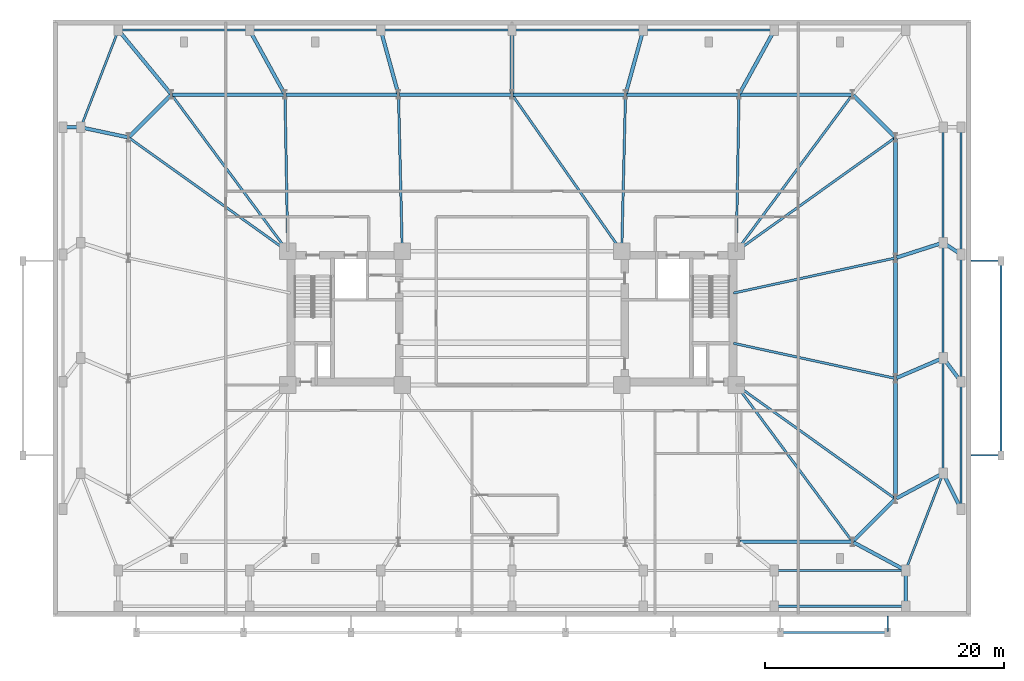
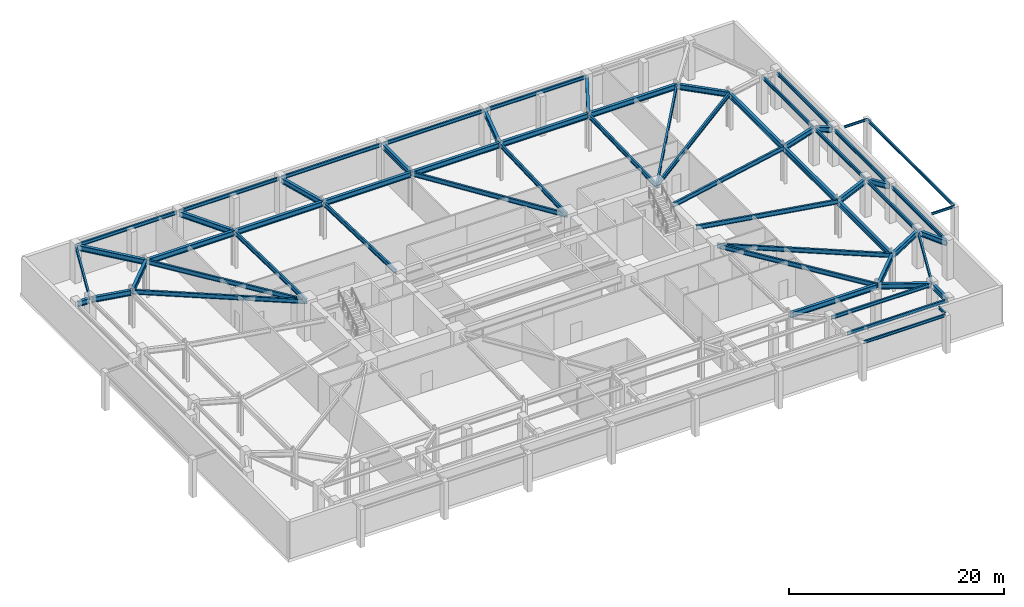
# One storey, part 6 of 14: 62 beams.
"""IFC4 building model written with IfcOpenShell, lengths in metres."""

from ifc_helpers import new_model, si_unit, direction, frame, origin, origin_2d, place, context, subcontext, project, spatial, i_section, extrude, material, material_profile, profile_set, type_object, element, save


model = new_model("IFC4")

# Units and contexts
model_context = context("Model", 3, precision=1e-05, world=origin(), true_north=direction((0.0, 1.0)))
body_context = subcontext(model_context, "Body", "Model", "MODEL_VIEW")
ifc_project = project(units=[si_unit("LENGTHUNIT", "METRE"), si_unit("AREAUNIT", "SQUARE_METRE"), si_unit("VOLUMEUNIT", "CUBIC_METRE"), si_unit("PLANEANGLEUNIT", "RADIAN"), si_unit("MASSUNIT", "GRAM", prefix="KILO")], contexts=[model_context])

# Site, building, storey
site_placement = place(None, origin())
site = spatial("IfcSite", under=ifc_project, at=site_placement, CompositionType="ELEMENT")
building_placement = place(site_placement, origin())
building = spatial("IfcBuilding", under=site, at=building_placement, Name="Qobustan Lattice House", CompositionType="ELEMENT")
storey_placement = place(building_placement, frame((0.0, 0.0, -4.5)))
storey = spatial("IfcBuildingStorey", under=building, at=storey_placement, Name="B01", CompositionType="ELEMENT", Elevation=-4.5)

# Beams
ifc_material_1 = material(Name="Steel S355", Category="steel")
ifc_material_profile_1 = material_profile(ifc_material_1, i_section(OverallWidth=0.199951171875, OverallDepth=0.5, WebThickness=0.01025390625, FlangeThickness=0.01611328125, FilletRadius=0.02099609375, at=origin_2d()), Name="IPE500")
ifc_profile_set_1 = profile_set([ifc_material_profile_1], Name="Steel S355")
beam_type_1 = type_object("IfcBeamType", Name="BM-FLG-IPE500", PredefinedType="USERDEFINED", material=ifc_profile_set_1)
for number, where, z_axis, x_axis, name in (
    (1, (28.53515625, -18.72998046875, 3.909912109375), (-0.5955916815, 0.803287338956, 0.0), (-0.803287338956, -0.5955916815, 0.0), "B01 primary floor girder RAD-S7E"),
    (2, (-28.53515625, 18.72998046875, 3.909912109375), (0.5955916815, -0.803287338956, 0.0), (0.803287338956, 0.5955916815, 0.0), "B01 primary floor girder RAD-N7W"),
):
    element("IfcBeam", number, at=place(storey_placement, frame(where, z_axis=z_axis, x_axis=x_axis)), inside=storey, type_object=beam_type_1, Name=name, ObjectType="GIRDER", PredefinedType="USERDEFINED", context=body_context, shape_type="SweptSolid", body=[
        extrude(i_section(OverallWidth=0.199951171875, OverallDepth=0.5, WebThickness=0.01025390625, FlangeThickness=0.01611328125, FilletRadius=0.02099609375, at=origin_2d()), origin(), (0.0, 0.0, 1.0), 16.3203125),
    ])
beam_1_placement = place(storey_placement, frame((-19.032958984375, 18.72509765625, 3.909912109375), z_axis=(0.017757831607, -0.999842317276, 0.0), x_axis=(0.999842317276, 0.017757831607, 0.0)))
element("IfcBeam", 3, at=beam_1_placement, inside=storey, type_object=beam_type_1, Name="B01 primary floor girder RAD-N6", ObjectType="GIRDER", PredefinedType="USERDEFINED", context=body_context, shape_type="SweptSolid", body=[
    extrude(i_section(OverallWidth=0.199951171875, OverallDepth=0.5, WebThickness=0.01025390625, FlangeThickness=0.01611328125, FilletRadius=0.02099609375, at=origin_2d()), origin(), (0.0, 0.0, 1.0), 13.10205078125),
])
beam_2_placement = place(storey_placement, frame((-9.51611328125, 18.72509765625, 3.909912109375), z_axis=(0.024071445657, -0.999710240772, 0.0), x_axis=(0.999710240772, 0.024071445657, 0.0)))
element("IfcBeam", 4, at=beam_2_placement, inside=storey, type_object=beam_type_1, Name="B01 primary floor girder RAD-N5", ObjectType="GIRDER", PredefinedType="USERDEFINED", context=body_context, shape_type="SweptSolid", body=[
    extrude(i_section(OverallWidth=0.199951171875, OverallDepth=0.5, WebThickness=0.01025390625, FlangeThickness=0.01611328125, FilletRadius=0.02099609375, at=origin_2d()), origin(), (0.0, 0.0, 1.0), 13.10400390625),
])
beam_3_placement = place(storey_placement, frame((0.014404296875, 18.7294921875, 3.909912109375), z_axis=(0.57325954206, -0.819373844736, 0.0), x_axis=(0.819373844736, 0.57325954206, 0.0)))
element("IfcBeam", 5, at=beam_3_placement, inside=storey, type_object=beam_type_1, Name="B01 primary floor girder RAD-N4", ObjectType="GIRDER", PredefinedType="USERDEFINED", context=body_context, shape_type="SweptSolid", body=[
    extrude(i_section(OverallWidth=0.199951171875, OverallDepth=0.5, WebThickness=0.01025390625, FlangeThickness=0.01611328125, FilletRadius=0.02099609375, at=origin_2d()), origin(), (0.0, 0.0, 1.0), 15.998779296875),
])
beam_4_placement = place(storey_placement, frame((9.51611328125, 18.72509765625, 3.909912109375), z_axis=(-0.024071445657, -0.999710240772, 0.0), x_axis=(0.999710240772, -0.024071445657, 0.0)))
element("IfcBeam", 6, at=beam_4_placement, inside=storey, type_object=beam_type_1, Name="B01 primary floor girder RAD-N3", ObjectType="GIRDER", PredefinedType="USERDEFINED", context=body_context, shape_type="SweptSolid", body=[
    extrude(i_section(OverallWidth=0.199951171875, OverallDepth=0.5, WebThickness=0.01025390625, FlangeThickness=0.01611328125, FilletRadius=0.02099609375, at=origin_2d()), origin(), (0.0, 0.0, 1.0), 13.10400390625),
])
beam_5_placement = place(storey_placement, frame((19.032958984375, 18.72509765625, 3.909912109375), z_axis=(-0.017757831607, -0.999842317276, 0.0), x_axis=(0.999842317276, -0.017757831607, 0.0)))
element("IfcBeam", 7, at=beam_5_placement, inside=storey, type_object=beam_type_1, Name="B01 primary floor girder RAD-N2", ObjectType="GIRDER", PredefinedType="USERDEFINED", context=body_context, shape_type="SweptSolid", body=[
    extrude(i_section(OverallWidth=0.199951171875, OverallDepth=0.5, WebThickness=0.01025390625, FlangeThickness=0.01611328125, FilletRadius=0.02099609375, at=origin_2d()), origin(), (0.0, 0.0, 1.0), 13.10205078125),
])
beam_6_placement = place(storey_placement, frame((28.53515625, 18.72998046875, 3.909912109375), z_axis=(-0.5955916815, -0.803287338956, 0.0), x_axis=(0.803287338956, -0.5955916815, 0.0)))
element("IfcBeam", 8, at=beam_6_placement, inside=storey, type_object=beam_type_1, Name="B01 primary floor girder RAD-N1E", ObjectType="GIRDER", PredefinedType="USERDEFINED", context=body_context, shape_type="SweptSolid", body=[
    extrude(i_section(OverallWidth=0.199951171875, OverallDepth=0.5, WebThickness=0.01025390625, FlangeThickness=0.01611328125, FilletRadius=0.02099609375, at=origin_2d()), origin(), (0.0, 0.0, 1.0), 16.3203125),
])
for number, where, z_axis, x_axis, name in (
    (9, (-32.129638671875, 15.135498046875, 3.909912109375), (0.813318954893, -0.581818079481, 0.0), (0.581818079481, 0.813318954893, 0.0), "B01 primary floor girder RAD-W1"),
    (10, (32.129638671875, 15.135498046875, 3.909912109375), (-0.813318954893, -0.581818079481, 0.0), (0.581818079481, -0.813318954893, 0.0), "B01 primary floor girder RAD-E4"),
):
    element("IfcBeam", number, at=place(storey_placement, frame(where, z_axis=z_axis, x_axis=x_axis)), inside=storey, type_object=beam_type_1, Name=name, ObjectType="GIRDER", PredefinedType="USERDEFINED", context=body_context, shape_type="SweptSolid", body=[
        extrude(i_section(OverallWidth=0.199951171875, OverallDepth=0.5, WebThickness=0.01025390625, FlangeThickness=0.01611328125, FilletRadius=0.02099609375, at=origin_2d()), origin(), (0.0, 0.0, 1.0), 16.3642578125),
    ])
for number, where, z_axis, x_axis, name in (
    (11, (32.12548828125, 5.044677734375, 3.909912109375), (-0.97727240275, -0.211987383643, 0.0), (0.211987383643, -0.97727240275, 0.0), "B01 primary floor girder RAD-E3"),
    (12, (32.12548828125, -5.044677734375, 3.909912109375), (-0.97727240275, 0.211987383643, 0.0), (-0.211987383643, -0.97727240275, 0.0), "B01 primary floor girder RAD-E2"),
):
    element("IfcBeam", number, at=place(storey_placement, frame(where, z_axis=z_axis, x_axis=x_axis)), inside=storey, type_object=beam_type_1, Name=name, ObjectType="GIRDER", PredefinedType="USERDEFINED", context=body_context, shape_type="SweptSolid", body=[
        extrude(i_section(OverallWidth=0.199951171875, OverallDepth=0.5, WebThickness=0.01025390625, FlangeThickness=0.01611328125, FilletRadius=0.02099609375, at=origin_2d()), origin(), (0.0, 0.0, 1.0), 13.8662109375),
    ])
beam_7_placement = place(storey_placement, frame((32.129638671875, -15.135498046875, 3.909912109375), z_axis=(-0.813318954893, 0.581818079481, 0.0), x_axis=(-0.581818079481, -0.813318954893, 0.0)))
element("IfcBeam", 13, at=beam_7_placement, inside=storey, type_object=beam_type_1, Name="B01 primary floor girder RAD-E1", ObjectType="GIRDER", PredefinedType="USERDEFINED", context=body_context, shape_type="SweptSolid", body=[
    extrude(i_section(OverallWidth=0.199951171875, OverallDepth=0.5, WebThickness=0.01025390625, FlangeThickness=0.01611328125, FilletRadius=0.02099609375, at=origin_2d()), origin(), (0.0, 0.0, 1.0), 16.3642578125),
])
ifc_material_2 = material(Name="Steel S355", Category="steel")
ifc_material_profile_2 = material_profile(ifc_material_2, i_section(OverallWidth=0.135009765625, OverallDepth=0.27001953125, WebThickness=0.006591796875, FlangeThickness=0.01025390625, FilletRadius=0.014892578125, at=origin_2d()), Name="IPE270")
ifc_profile_set_2 = profile_set([ifc_material_profile_2], Name="Steel S355")
beam_type_2 = type_object("IfcBeamType", Name="BM-JST-IPE270", PredefinedType="JOIST", material=ifc_profile_set_2)
beam_8_placement = place(storey_placement, frame((31.5, -26.25, 4.1650390625), z_axis=(0.0, 1.0, 0.0), x_axis=(-1.0, 0.0, 0.0)))
element("IfcBeam", 14, at=beam_8_placement, inside=storey, type_object=beam_type_2, Name="B01 colonnade transverse beam 8", PredefinedType="JOIST", context=body_context, shape_type="SweptSolid", body=[
    extrude(i_section(OverallWidth=0.135009765625, OverallDepth=0.27001953125, WebThickness=0.006591796875, FlangeThickness=0.01025390625, FilletRadius=0.014892578125, at=origin_2d()), origin(), (0.0, 0.0, 1.0), 1.27001953125),
])
for number, where, z_axis, x_axis, name in (
    (15, (41.0, -11.5, 4.1650390625), (-1.0, 0.0, 0.0), (0.0, -1.0, 0.0), "B01 E arrival portico tie beam 1"),
    (16, (41.0, 4.800048828125, 4.1650390625), (-1.0, 0.0, 0.0), (0.0, -1.0, 0.0), "B01 E arrival portico tie beam 2"),
):
    element("IfcBeam", number, at=place(storey_placement, frame(where, z_axis=z_axis, x_axis=x_axis)), inside=storey, type_object=beam_type_2, Name=name, PredefinedType="JOIST", context=body_context, shape_type="SweptSolid", body=[
        extrude(i_section(OverallWidth=0.135009765625, OverallDepth=0.27001953125, WebThickness=0.006591796875, FlangeThickness=0.01025390625, FilletRadius=0.014892578125, at=origin_2d()), origin(), (0.0, 0.0, 1.0), 2.52001953125),
    ])
ifc_material_3 = material(Name="Steel S355", Category="steel")
ifc_material_profile_3 = material_profile(ifc_material_3, i_section(OverallWidth=0.300048828125, OverallDepth=0.60009765625, WebThickness=0.015380859375, FlangeThickness=0.030029296875, FilletRadius=0.027099609375, at=origin_2d()), Name="HEB600")
ifc_profile_set_3 = profile_set([ifc_material_profile_3], Name="Steel S355")
beam_type_3 = type_object("IfcBeamType", Name="BM-POD-HEB600", PredefinedType="USERDEFINED", material=ifc_profile_set_3)
beam_9_placement = place(storey_placement, frame((33.0, -24.030029296875, 3.860107421875), z_axis=(0.0, 1.0, 0.0), x_axis=(-1.0, 0.0, 0.0)))
element("IfcBeam", 17, at=beam_9_placement, inside=storey, type_object=beam_type_3, Name="B01 south terrace tie girder 7", ObjectType="GIRDER", PredefinedType="USERDEFINED", context=body_context, shape_type="SweptSolid", body=[
    extrude(i_section(OverallWidth=0.300048828125, OverallDepth=0.60009765625, WebThickness=0.015380859375, FlangeThickness=0.030029296875, FilletRadius=0.027099609375, at=origin_2d()), origin(), (0.0, 0.0, 1.0), 2.760009765625),
])
beam_10_placement = place(storey_placement, frame((37.59619140625, -15.892578125, 3.860107421875), z_axis=(-0.4472135955, 0.894427191, 0.0), x_axis=(-0.894427191, -0.4472135955, 0.0)))
element("IfcBeam", 18, at=beam_10_placement, inside=storey, type_object=beam_type_3, Name="B01 setback tie girder PEL1", ObjectType="GIRDER", PredefinedType="USERDEFINED", context=body_context, shape_type="SweptSolid", body=[
    extrude(i_section(OverallWidth=0.300048828125, OverallDepth=0.60009765625, WebThickness=0.015380859375, FlangeThickness=0.030029296875, FilletRadius=0.027099609375, at=origin_2d()), origin(), (0.0, 0.0, 1.0), 3.114013671875),
])
beam_11_placement = place(storey_placement, frame((37.577880859375, -5.2373046875, 3.860107421875), z_axis=(-0.599965431752, 0.800025925019, 0.0), x_axis=(-0.800025925019, -0.599965431752, 0.0)))
element("IfcBeam", 19, at=beam_11_placement, inside=storey, type_object=beam_type_3, Name="B01 setback tie girder PEL2", ObjectType="GIRDER", PredefinedType="USERDEFINED", context=body_context, shape_type="SweptSolid", body=[
    extrude(i_section(OverallWidth=0.300048828125, OverallDepth=0.60009765625, WebThickness=0.015380859375, FlangeThickness=0.030029296875, FilletRadius=0.027099609375, at=origin_2d()), origin(), (0.0, 0.0, 1.0), 2.260009765625),
])
beam_12_placement = place(storey_placement, frame((37.55029296875, 5.39990234375, 3.860107421875), z_axis=(-0.832074324237, 0.554664149684, 0.0), x_axis=(-0.554664149684, -0.832074324237, 0.0)))
element("IfcBeam", 20, at=beam_12_placement, inside=storey, type_object=beam_type_3, Name="B01 setback tie girder PEL3", ObjectType="GIRDER", PredefinedType="USERDEFINED", context=body_context, shape_type="SweptSolid", body=[
    extrude(i_section(OverallWidth=0.300048828125, OverallDepth=0.60009765625, WebThickness=0.015380859375, FlangeThickness=0.030029296875, FilletRadius=0.027099609375, at=origin_2d()), origin(), (0.0, 0.0, 1.0), 1.56298828125),
])
beam_13_placement = place(storey_placement, frame((-37.530029296875, 16.0, 3.860107421875), z_axis=(1.0, 0.0, 0.0), x_axis=(0.0, 1.0, 0.0)))
element("IfcBeam", 21, at=beam_13_placement, inside=storey, type_object=beam_type_3, Name="B01 setback tie girder PWL4", ObjectType="GIRDER", PredefinedType="USERDEFINED", context=body_context, shape_type="SweptSolid", body=[
    extrude(i_section(OverallWidth=0.300048828125, OverallDepth=0.60009765625, WebThickness=0.015380859375, FlangeThickness=0.030029296875, FilletRadius=0.027099609375, at=origin_2d()), origin(), (0.0, 0.0, 1.0), 1.260009765625),
])
beam_14_placement = place(storey_placement, frame((19.13330078125, -18.75, 3.860107421875), z_axis=(1.0, 0.0, 0.0), x_axis=(0.0, 1.0, 0.0)))
element("IfcBeam", 22, at=beam_14_placement, inside=storey, type_object=beam_type_3, Name="B01 tower base ring girder S6-S7", ObjectType="GIRDER", PredefinedType="USERDEFINED", context=body_context, shape_type="SweptSolid", body=[
    extrude(i_section(OverallWidth=0.300048828125, OverallDepth=0.60009765625, WebThickness=0.015380859375, FlangeThickness=0.030029296875, FilletRadius=0.027099609375, at=origin_2d()), origin(), (0.0, 0.0, 1.0), 9.316650390625),
])
beam_15_placement = place(storey_placement, frame((28.62060546875, -18.67919921875, 3.860107421875), z_axis=(0.70713173775, 0.707081823743, 0.0), x_axis=(-0.707081823743, 0.70713173775, 0.0)))
element("IfcBeam", 23, at=beam_15_placement, inside=storey, type_object=beam_type_3, Name="B01 tower base ring girder S7-E1", ObjectType="GIRDER", PredefinedType="USERDEFINED", context=body_context, shape_type="SweptSolid", body=[
    extrude(i_section(OverallWidth=0.300048828125, OverallDepth=0.60009765625, WebThickness=0.015380859375, FlangeThickness=0.030029296875, FilletRadius=0.027099609375, at=origin_2d()), origin(), (0.0, 0.0, 1.0), 4.89111328125),
])
beam_16_placement = place(storey_placement, frame((32.14990234375, -15.050048828125, 3.860107421875), z_axis=(0.0, 1.0, 0.0), x_axis=(-1.0, 0.0, 0.0)))
element("IfcBeam", 24, at=beam_16_placement, inside=storey, type_object=beam_type_3, Name="B01 tower base ring girder E1-E2", ObjectType="GIRDER", PredefinedType="USERDEFINED", context=body_context, shape_type="SweptSolid", body=[
    extrude(i_section(OverallWidth=0.300048828125, OverallDepth=0.60009765625, WebThickness=0.015380859375, FlangeThickness=0.030029296875, FilletRadius=0.027099609375, at=origin_2d()), origin(), (0.0, 0.0, 1.0), 9.900146484375),
])
beam_17_placement = place(storey_placement, frame((32.14990234375, -4.949951171875, 3.860107421875), z_axis=(0.0, 1.0, 0.0), x_axis=(-1.0, 0.0, 0.0)))
element("IfcBeam", 25, at=beam_17_placement, inside=storey, type_object=beam_type_3, Name="B01 tower base ring girder E2-E3", ObjectType="GIRDER", PredefinedType="USERDEFINED", context=body_context, shape_type="SweptSolid", body=[
    extrude(i_section(OverallWidth=0.300048828125, OverallDepth=0.60009765625, WebThickness=0.015380859375, FlangeThickness=0.030029296875, FilletRadius=0.027099609375, at=origin_2d()), origin(), (0.0, 0.0, 1.0), 9.89990234375),
])
beam_18_placement = place(storey_placement, frame((32.14990234375, 5.14990234375, 3.860107421875), z_axis=(0.0, 1.0, 0.0), x_axis=(-1.0, 0.0, 0.0)))
element("IfcBeam", 26, at=beam_18_placement, inside=storey, type_object=beam_type_3, Name="B01 tower base ring girder E3-E4", ObjectType="GIRDER", PredefinedType="USERDEFINED", context=body_context, shape_type="SweptSolid", body=[
    extrude(i_section(OverallWidth=0.300048828125, OverallDepth=0.60009765625, WebThickness=0.015380859375, FlangeThickness=0.030029296875, FilletRadius=0.027099609375, at=origin_2d()), origin(), (0.0, 0.0, 1.0), 9.900146484375),
])
beam_19_placement = place(storey_placement, frame((32.079345703125, 15.220703125, 3.860107421875), z_axis=(-0.70713173775, 0.707081823743, 0.0), x_axis=(-0.707081823743, -0.70713173775, 0.0)))
element("IfcBeam", 27, at=beam_19_placement, inside=storey, type_object=beam_type_3, Name="B01 tower base ring girder E4-N1", ObjectType="GIRDER", PredefinedType="USERDEFINED", context=body_context, shape_type="SweptSolid", body=[
    extrude(i_section(OverallWidth=0.300048828125, OverallDepth=0.60009765625, WebThickness=0.015380859375, FlangeThickness=0.030029296875, FilletRadius=0.027099609375, at=origin_2d()), origin(), (0.0, 0.0, 1.0), 4.89111328125),
])
for number, where, z_axis, x_axis, name in (
    (28, (28.449951171875, 18.75, 3.860107421875), (-1.0, 0.0, 0.0), (0.0, -1.0, 0.0), "B01 tower base ring girder N1-N2"),
    (29, (18.933349609375, 18.75, 3.860107421875), (-1.0, 0.0, 0.0), (0.0, -1.0, 0.0), "B01 tower base ring girder N2-N3"),
    (30, (9.416748046875, 18.75, 3.860107421875), (-1.0, 0.0, 0.0), (0.0, -1.0, 0.0), "B01 tower base ring girder N3-N4"),
    (31, (-0.10009765625, 18.75, 3.860107421875), (-1.0, 0.0, 0.0), (0.0, -1.0, 0.0), "B01 tower base ring girder N4-N5"),
    (32, (-9.61669921875, 18.75, 3.860107421875), (-1.0, 0.0, 0.0), (0.0, -1.0, 0.0), "B01 tower base ring girder N5-N6"),
    (33, (-19.13330078125, 18.75, 3.860107421875), (-1.0, 0.0, 0.0), (0.0, -1.0, 0.0), "B01 tower base ring girder N6-N7"),
):
    element("IfcBeam", number, at=place(storey_placement, frame(where, z_axis=z_axis, x_axis=x_axis)), inside=storey, type_object=beam_type_3, Name=name, ObjectType="GIRDER", PredefinedType="USERDEFINED", context=body_context, shape_type="SweptSolid", body=[
        extrude(i_section(OverallWidth=0.300048828125, OverallDepth=0.60009765625, WebThickness=0.015380859375, FlangeThickness=0.030029296875, FilletRadius=0.027099609375, at=origin_2d()), origin(), (0.0, 0.0, 1.0), 9.316650390625),
    ])
beam_20_placement = place(storey_placement, frame((-28.62060546875, 18.67919921875, 3.860107421875), z_axis=(-0.70713173775, -0.707081823743, 0.0), x_axis=(0.707081823743, -0.70713173775, 0.0)))
element("IfcBeam", 34, at=beam_20_placement, inside=storey, type_object=beam_type_3, Name="B01 tower base ring girder N7-W1", ObjectType="GIRDER", PredefinedType="USERDEFINED", context=body_context, shape_type="SweptSolid", body=[
    extrude(i_section(OverallWidth=0.300048828125, OverallDepth=0.60009765625, WebThickness=0.015380859375, FlangeThickness=0.030029296875, FilletRadius=0.027099609375, at=origin_2d()), origin(), (0.0, 0.0, 1.0), 4.89111328125),
])
beam_21_placement = place(storey_placement, frame((-32.923583984375, 24.057373046875, 3.860107421875), z_axis=(0.635954703728, -0.771726385973, 0.0), x_axis=(0.771726385973, 0.635954703728, 0.0)))
element("IfcBeam", 35, at=beam_21_placement, inside=storey, type_object=beam_type_3, Name="B01 podium radial girder PN1", ObjectType="GIRDER", PredefinedType="USERDEFINED", context=body_context, shape_type="SweptSolid", body=[
    extrude(i_section(OverallWidth=0.300048828125, OverallDepth=0.60009765625, WebThickness=0.015380859375, FlangeThickness=0.030029296875, FilletRadius=0.027099609375, at=origin_2d()), origin(), (0.0, 0.0, 1.0), 6.77734375),
])
beam_22_placement = place(storey_placement, frame((-21.942138671875, 24.044921875, 3.860107421875), z_axis=(0.481478583255, -0.876457856298, 0.0), x_axis=(0.876457856298, 0.481478583255, 0.0)))
element("IfcBeam", 36, at=beam_22_placement, inside=storey, type_object=beam_type_3, Name="B01 podium radial girder PN2", ObjectType="GIRDER", PredefinedType="USERDEFINED", context=body_context, shape_type="SweptSolid", body=[
    extrude(i_section(OverallWidth=0.300048828125, OverallDepth=0.60009765625, WebThickness=0.015380859375, FlangeThickness=0.030029296875, FilletRadius=0.027099609375, at=origin_2d()), origin(), (0.0, 0.0, 1.0), 5.941162109375),
])
beam_23_placement = place(storey_placement, frame((-10.96826171875, 24.0341796875, 3.860107421875), z_axis=(0.264883295611, -0.964280477717, 0.0), x_axis=(0.964280477717, 0.264883295611, 0.0)))
element("IfcBeam", 37, at=beam_23_placement, inside=storey, type_object=beam_type_3, Name="B01 podium radial girder PN3", ObjectType="GIRDER", PredefinedType="USERDEFINED", context=body_context, shape_type="SweptSolid", body=[
    extrude(i_section(OverallWidth=0.300048828125, OverallDepth=0.60009765625, WebThickness=0.015380859375, FlangeThickness=0.030029296875, FilletRadius=0.027099609375, at=origin_2d()), origin(), (0.0, 0.0, 1.0), 5.3798828125),
])
beam_24_placement = place(storey_placement, frame((0.0, 24.030029296875, 3.860107421875), z_axis=(0.0, -1.0, 0.0), x_axis=(1.0, 0.0, 0.0)))
element("IfcBeam", 38, at=beam_24_placement, inside=storey, type_object=beam_type_3, Name="B01 podium radial girder PN4", ObjectType="GIRDER", PredefinedType="USERDEFINED", context=body_context, shape_type="SweptSolid", body=[
    extrude(i_section(OverallWidth=0.300048828125, OverallDepth=0.60009765625, WebThickness=0.015380859375, FlangeThickness=0.030029296875, FilletRadius=0.027099609375, at=origin_2d()), origin(), (0.0, 0.0, 1.0), 5.179931640625),
])
beam_25_placement = place(storey_placement, frame((10.96826171875, 24.0341796875, 3.860107421875), z_axis=(-0.264883295611, -0.964280477717, 0.0), x_axis=(0.964280477717, -0.264883295611, 0.0)))
element("IfcBeam", 39, at=beam_25_placement, inside=storey, type_object=beam_type_3, Name="B01 podium radial girder PN5", ObjectType="GIRDER", PredefinedType="USERDEFINED", context=body_context, shape_type="SweptSolid", body=[
    extrude(i_section(OverallWidth=0.300048828125, OverallDepth=0.60009765625, WebThickness=0.015380859375, FlangeThickness=0.030029296875, FilletRadius=0.027099609375, at=origin_2d()), origin(), (0.0, 0.0, 1.0), 5.3798828125),
])
beam_26_placement = place(storey_placement, frame((21.942138671875, 24.044921875, 3.860107421875), z_axis=(-0.481478583255, -0.876457856298, 0.0), x_axis=(0.876457856298, -0.481478583255, 0.0)))
element("IfcBeam", 40, at=beam_26_placement, inside=storey, type_object=beam_type_3, Name="B01 podium radial girder PN6", ObjectType="GIRDER", PredefinedType="USERDEFINED", context=body_context, shape_type="SweptSolid", body=[
    extrude(i_section(OverallWidth=0.300048828125, OverallDepth=0.60009765625, WebThickness=0.015380859375, FlangeThickness=0.030029296875, FilletRadius=0.027099609375, at=origin_2d()), origin(), (0.0, 0.0, 1.0), 5.941162109375),
])
beam_27_placement = place(storey_placement, frame((32.894287109375, -21.093017578125, 3.860107421875), z_axis=(-0.88016615165, 0.474665719732, 0.0), x_axis=(-0.474665719732, -0.88016615165, 0.0)))
element("IfcBeam", 41, at=beam_27_placement, inside=storey, type_object=beam_type_3, Name="B01 podium radial girder PS7", ObjectType="GIRDER", PredefinedType="USERDEFINED", context=body_context, shape_type="SweptSolid", body=[
    extrude(i_section(OverallWidth=0.300048828125, OverallDepth=0.60009765625, WebThickness=0.015380859375, FlangeThickness=0.030029296875, FilletRadius=0.027099609375, at=origin_2d()), origin(), (0.0, 0.0, 1.0), 4.8359375),
])
beam_28_placement = place(storey_placement, frame((36.044189453125, -13.056884765625, 3.860107421875), z_axis=(-0.880815561441, -0.473459551307, 0.0), x_axis=(0.473459551307, -0.880815561441, 0.0)))
element("IfcBeam", 42, at=beam_28_placement, inside=storey, type_object=beam_type_3, Name="B01 podium radial girder PE1", ObjectType="GIRDER", PredefinedType="USERDEFINED", context=body_context, shape_type="SweptSolid", body=[
    extrude(i_section(OverallWidth=0.300048828125, OverallDepth=0.60009765625, WebThickness=0.015380859375, FlangeThickness=0.030029296875, FilletRadius=0.027099609375, at=origin_2d()), origin(), (0.0, 0.0, 1.0), 4.3212890625),
])
beam_29_placement = place(storey_placement, frame((36.039794921875, -3.380615234375, 3.860107421875), z_axis=(-0.918949362679, -0.394375542893, 0.0), x_axis=(0.394375542893, -0.918949362679, 0.0)))
element("IfcBeam", 43, at=beam_29_placement, inside=storey, type_object=beam_type_3, Name="B01 podium radial girder PE2", ObjectType="GIRDER", PredefinedType="USERDEFINED", context=body_context, shape_type="SweptSolid", body=[
    extrude(i_section(OverallWidth=0.300048828125, OverallDepth=0.60009765625, WebThickness=0.015380859375, FlangeThickness=0.030029296875, FilletRadius=0.027099609375, at=origin_2d()), origin(), (0.0, 0.0, 1.0), 4.1328125),
])
beam_30_placement = place(storey_placement, frame((36.03564453125, 6.296630859375, 3.860107421875), z_axis=(-0.952198151545, -0.305481063561, 0.0), x_axis=(0.305481063561, -0.952198151545, 0.0)))
element("IfcBeam", 44, at=beam_30_placement, inside=storey, type_object=beam_type_3, Name="B01 podium radial girder PE3", ObjectType="GIRDER", PredefinedType="USERDEFINED", context=body_context, shape_type="SweptSolid", body=[
    extrude(i_section(OverallWidth=0.300048828125, OverallDepth=0.60009765625, WebThickness=0.015380859375, FlangeThickness=0.030029296875, FilletRadius=0.027099609375, at=origin_2d()), origin(), (0.0, 0.0, 1.0), 3.980712890625),
])
beam_31_placement = place(storey_placement, frame((-36.03271484375, 15.97509765625, 3.860107421875), z_axis=(0.978163821655, -0.207835362738, 0.0), x_axis=(0.207835362738, 0.978163821655, 0.0)))
element("IfcBeam", 45, at=beam_31_placement, inside=storey, type_object=beam_type_3, Name="B01 podium radial girder PW4", ObjectType="GIRDER", PredefinedType="USERDEFINED", context=body_context, shape_type="SweptSolid", body=[
    extrude(i_section(OverallWidth=0.300048828125, OverallDepth=0.60009765625, WebThickness=0.015380859375, FlangeThickness=0.030029296875, FilletRadius=0.027099609375, at=origin_2d()), origin(), (0.0, 0.0, 1.0), 3.869384765625),
])
ifc_material_4 = material(Name="Steel S355", Category="steel")
ifc_material_profile_4 = material_profile(ifc_material_4, i_section(OverallWidth=0.159912109375, OverallDepth=0.330078125, WebThickness=0.007568359375, FlangeThickness=0.011474609375, FilletRadius=0.01806640625, at=origin_2d()), Name="IPE330")
ifc_profile_set_4 = profile_set([ifc_material_profile_4], Name="Steel S355")
beam_type_4 = type_object("IfcBeamType", Name="BM-SPD-IPE330", PredefinedType="SPANDREL", material=ifc_profile_set_4)
beam_32_placement = place(storey_placement, frame((22.6201171875, -26.35009765625, 4.135009765625), z_axis=(1.0, 0.0, 0.0), x_axis=(0.0, 1.0, 0.0)))
element("IfcBeam", 46, at=beam_32_placement, inside=storey, type_object=beam_type_4, Name="B01 colonnade edge beam 7", PredefinedType="SPANDREL", context=body_context, shape_type="SweptSolid", body=[
    extrude(i_section(OverallWidth=0.159912109375, OverallDepth=0.330078125, WebThickness=0.007568359375, FlangeThickness=0.011474609375, FilletRadius=0.01806640625, at=origin_2d()), origin(), (0.0, 0.0, 1.0), 8.759765625),
])
beam_33_placement = place(storey_placement, frame((41.0, -11.39990234375, 4.135009765625), z_axis=(0.0, 1.0, 0.0), x_axis=(-1.0, 0.0, 0.0)))
element("IfcBeam", 47, at=beam_33_placement, inside=storey, type_object=beam_type_4, Name="B01 E arrival portico edge beam", PredefinedType="SPANDREL", context=body_context, shape_type="SweptSolid", body=[
    extrude(i_section(OverallWidth=0.159912109375, OverallDepth=0.330078125, WebThickness=0.007568359375, FlangeThickness=0.011474609375, FilletRadius=0.01806640625, at=origin_2d()), origin(), (0.0, 0.0, 1.0), 16.099853515625),
])
ifc_material_5 = material(Name="Steel S355", Category="steel")
ifc_material_profile_5 = material_profile(ifc_material_5, i_section(OverallWidth=0.179931640625, OverallDepth=0.39990234375, WebThickness=0.008544921875, FlangeThickness=0.013427734375, FilletRadius=0.02099609375, at=origin_2d()), Name="IPE400")
ifc_profile_set_5 = profile_set([ifc_material_profile_5], Name="Steel S355")
beam_type_5 = type_object("IfcBeamType", Name="BM-SPD-IPE400", PredefinedType="SPANDREL", material=ifc_profile_set_5)
for number, where, z_axis, x_axis, name in (
    (48, (22.1201171875, -21.14990234375, 3.9599609375), (1.0, 0.0, 0.0), (0.0, 1.0, 0.0), "B01 podium spandrel PS6-PS7"),
    (49, (-32.8798828125, 24.14990234375, 3.9599609375), (1.0, 0.0, 0.0), (0.0, 1.0, 0.0), "B01 podium spandrel PN1-PN2"),
    (50, (-21.8798828125, 24.14990234375, 3.9599609375), (1.0, 0.0, 0.0), (0.0, 1.0, 0.0), "B01 podium spandrel PN2-PN3"),
    (51, (-10.8798828125, 24.14990234375, 3.9599609375), (1.0, 0.0, 0.0), (0.0, 1.0, 0.0), "B01 podium spandrel PN3-PN4"),
    (52, (0.1201171875, 24.14990234375, 3.9599609375), (1.0, 0.0, 0.0), (0.0, 1.0, 0.0), "B01 podium spandrel PN4-PN5"),
    (53, (11.1201171875, 24.14990234375, 3.9599609375), (1.0, 0.0, 0.0), (0.0, 1.0, 0.0), "B01 podium spandrel PN5-PN6"),
):
    element("IfcBeam", number, at=place(storey_placement, frame(where, z_axis=z_axis, x_axis=x_axis)), inside=storey, type_object=beam_type_5, Name=name, PredefinedType="SPANDREL", context=body_context, shape_type="SweptSolid", body=[
        extrude(i_section(OverallWidth=0.179931640625, OverallDepth=0.39990234375, WebThickness=0.008544921875, FlangeThickness=0.013427734375, FilletRadius=0.02099609375, at=origin_2d()), origin(), (0.0, 0.0, 1.0), 10.759765625),
    ])
beam_34_placement = place(storey_placement, frame((36.14990234375, -12.8798828125, 3.9599609375), z_axis=(0.0, 1.0, 0.0), x_axis=(-1.0, 0.0, 0.0)))
element("IfcBeam", 54, at=beam_34_placement, inside=storey, type_object=beam_type_5, Name="B01 podium spandrel PE1-PE2", PredefinedType="SPANDREL", context=body_context, shape_type="SweptSolid", body=[
    extrude(i_section(OverallWidth=0.179931640625, OverallDepth=0.39990234375, WebThickness=0.008544921875, FlangeThickness=0.013427734375, FilletRadius=0.02099609375, at=origin_2d()), origin(), (0.0, 0.0, 1.0), 9.426513671875),
])
for number, where, z_axis, x_axis, name in (
    (55, (36.14990234375, -3.21337890625, 3.9599609375), (0.0, 1.0, 0.0), (-1.0, 0.0, 0.0), "B01 podium spandrel PE2-PE3"),
    (56, (36.14990234375, 6.453369140625, 3.9599609375), (0.0, 1.0, 0.0), (-1.0, 0.0, 0.0), "B01 podium spandrel PE3-PE4"),
):
    element("IfcBeam", number, at=place(storey_placement, frame(where, z_axis=z_axis, x_axis=x_axis)), inside=storey, type_object=beam_type_5, Name=name, PredefinedType="SPANDREL", context=body_context, shape_type="SweptSolid", body=[
        extrude(i_section(OverallWidth=0.179931640625, OverallDepth=0.39990234375, WebThickness=0.008544921875, FlangeThickness=0.013427734375, FilletRadius=0.02099609375, at=origin_2d()), origin(), (0.0, 0.0, 1.0), 9.4267578125),
    ])
beam_35_placement = place(storey_placement, frame((-36.106689453125, 16.112060546875, 3.9599609375), z_axis=(0.360516886299, 0.932752686779, 0.0), x_axis=(-0.932752686779, 0.360516886299, 0.0)))
element("IfcBeam", 57, at=beam_35_placement, inside=storey, type_object=beam_type_5, Name="B01 podium corner tie PW4-PN1", PredefinedType="SPANDREL", context=body_context, shape_type="SweptSolid", body=[
    extrude(i_section(OverallWidth=0.179931640625, OverallDepth=0.39990234375, WebThickness=0.008544921875, FlangeThickness=0.013427734375, FilletRadius=0.02099609375, at=origin_2d()), origin(), (0.0, 0.0, 1.0), 8.49755859375),
])
beam_36_placement = place(storey_placement, frame((36.106689453125, -13.11181640625, 3.9599609375), z_axis=(-0.360507225068, -0.93275642087, 0.0), x_axis=(0.93275642087, -0.360507225068, 0.0)))
element("IfcBeam", 58, at=beam_36_placement, inside=storey, type_object=beam_type_5, Name="B01 podium corner tie PE1-PS7", PredefinedType="SPANDREL", context=body_context, shape_type="SweptSolid", body=[
    extrude(i_section(OverallWidth=0.179931640625, OverallDepth=0.39990234375, WebThickness=0.008544921875, FlangeThickness=0.013427734375, FilletRadius=0.02099609375, at=origin_2d()), origin(), (0.0, 0.0, 1.0), 8.497802734375),
])
beam_37_placement = place(storey_placement, frame((22.1201171875, -24.14990234375, 3.9599609375), z_axis=(1.0, 0.0, 0.0), x_axis=(0.0, 1.0, 0.0)))
element("IfcBeam", 59, at=beam_37_placement, inside=storey, type_object=beam_type_5, Name="B01 lower podium spandrel PSL6-PSL7", PredefinedType="SPANDREL", context=body_context, shape_type="SweptSolid", body=[
    extrude(i_section(OverallWidth=0.179931640625, OverallDepth=0.39990234375, WebThickness=0.008544921875, FlangeThickness=0.013427734375, FilletRadius=0.02099609375, at=origin_2d()), origin(), (0.0, 0.0, 1.0), 10.759765625),
])
beam_38_placement = place(storey_placement, frame((37.64990234375, -15.8798828125, 3.9599609375), z_axis=(0.0, 1.0, 0.0), x_axis=(-1.0, 0.0, 0.0)))
element("IfcBeam", 60, at=beam_38_placement, inside=storey, type_object=beam_type_5, Name="B01 lower podium spandrel PEL1-PEL2", PredefinedType="SPANDREL", context=body_context, shape_type="SweptSolid", body=[
    extrude(i_section(OverallWidth=0.179931640625, OverallDepth=0.39990234375, WebThickness=0.008544921875, FlangeThickness=0.013427734375, FilletRadius=0.02099609375, at=origin_2d()), origin(), (0.0, 0.0, 1.0), 10.426513671875),
])
for number, where, z_axis, x_axis, name in (
    (61, (37.64990234375, -5.21337890625, 3.9599609375), (0.0, 1.0, 0.0), (-1.0, 0.0, 0.0), "B01 lower podium spandrel PEL2-PEL3"),
    (62, (37.64990234375, 5.453369140625, 3.9599609375), (0.0, 1.0, 0.0), (-1.0, 0.0, 0.0), "B01 lower podium spandrel PEL3-PEL4"),
):
    element("IfcBeam", number, at=place(storey_placement, frame(where, z_axis=z_axis, x_axis=x_axis)), inside=storey, type_object=beam_type_5, Name=name, PredefinedType="SPANDREL", context=body_context, shape_type="SweptSolid", body=[
        extrude(i_section(OverallWidth=0.179931640625, OverallDepth=0.39990234375, WebThickness=0.008544921875, FlangeThickness=0.013427734375, FilletRadius=0.02099609375, at=origin_2d()), origin(), (0.0, 0.0, 1.0), 10.4267578125),
    ])

save(model, "model.ifc")
